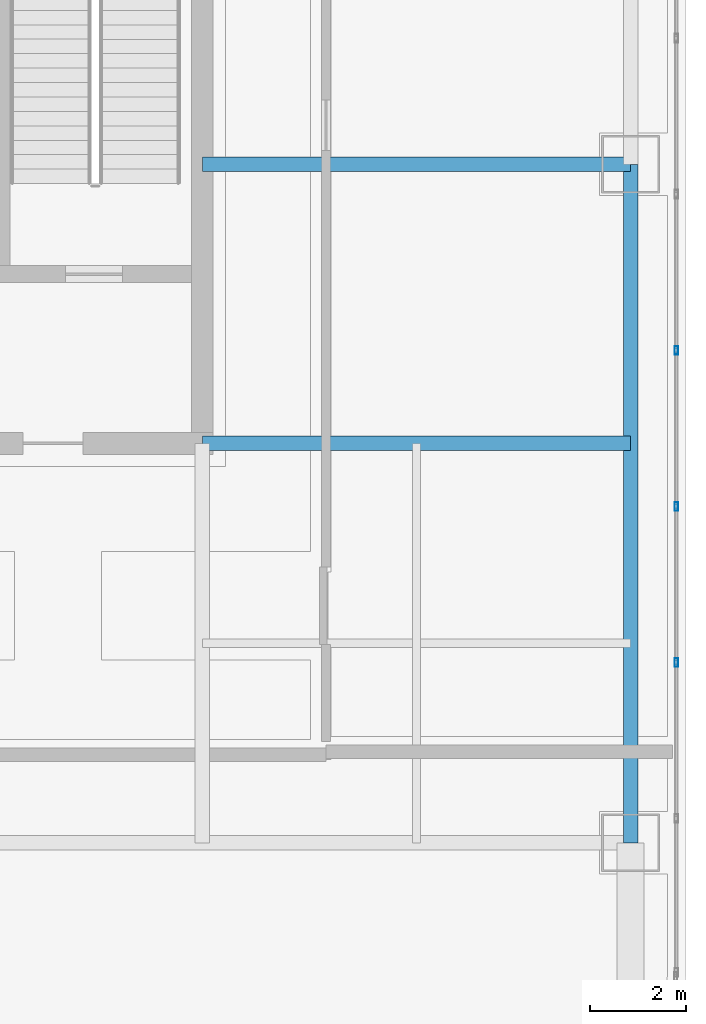
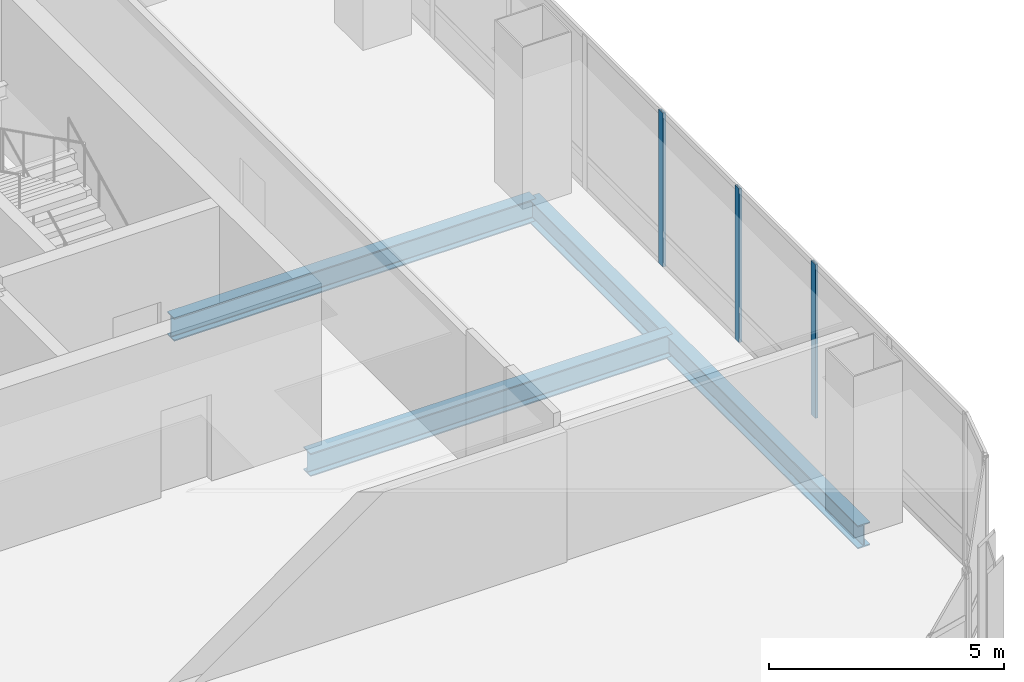
# One storey, part 19 of 42: 3 beams, 3 members, 1 element without a shape of its own.
"""IFC4 building model written with IfcOpenShell, lengths in metres."""

from ifc_helpers import new_model, si_unit, direction, frame, origin, origin_2d, place, context, subcontext, project, spatial, hollow_rectangle, i_section, extrude, material, material_profile, profile_set, type_object, element, aggregate, save


model = new_model("IFC4")

# Units and contexts
model_context = context("Model", 3, precision=1e-05, world=origin(), true_north=direction((0.0, 1.0)))
body_context = subcontext(model_context, "Body", "Model", "MODEL_VIEW")
ifc_project = project(units=[si_unit("LENGTHUNIT", "METRE"), si_unit("AREAUNIT", "SQUARE_METRE"), si_unit("VOLUMEUNIT", "CUBIC_METRE"), si_unit("PLANEANGLEUNIT", "RADIAN"), si_unit("MASSUNIT", "GRAM", prefix="KILO")], contexts=[model_context])

# Site, building, storey
site_placement = place(None, origin())
site = spatial("IfcSite", under=ifc_project, at=site_placement, CompositionType="ELEMENT")
building_placement = place(site_placement, origin())
building = spatial("IfcBuilding", under=site, at=building_placement, Name="Punatoya Terracotta Tower", CompositionType="ELEMENT")
storey_placement = place(building_placement, frame((0.0, 0.0, 325.800048828125)))
storey = spatial("IfcBuildingStorey", under=building, at=storey_placement, Name="L77", CompositionType="ELEMENT", Elevation=325.800048828125)

# Beams
ifc_material_1 = material(Name="Steel S355", Category="steel")
ifc_material_profile_1 = material_profile(ifc_material_1, i_section(OverallWidth=0.300048828125, OverallDepth=0.60009765625, WebThickness=0.015380859375, FlangeThickness=0.030029296875, FilletRadius=0.01806640625, at=origin_2d()))
ifc_profile_set_1 = profile_set([ifc_material_profile_1], Name="Steel S355")
beam_type = type_object("IfcBeamType", Name="BM-PRI-600", PredefinedType="BEAM", material=ifc_profile_set_1)
beam_placement = place(storey_placement, frame((19.10009765625, -17.5, -0.5), z_axis=(0.0, 1.0, 0.0), x_axis=(-1.0, 0.0, 0.0)))
element("IfcBeam", 1, at=beam_placement, inside=storey, type_object=beam_type, Name="BM-L77-RG-E1", PredefinedType="BEAM", context=body_context, shape_type="SweptSolid", body=[
    extrude(i_section(OverallWidth=0.300048828125, OverallDepth=0.60009765625, WebThickness=0.015380859375, FlangeThickness=0.030029296875, FilletRadius=0.01806640625, at=origin_2d()), origin(), (0.0, 0.0, 1.0), 14.10009765625),
])
for number, where, z_axis, x_axis, name in (
    (2, (10.199951171875, -9.199951171875, -0.5), (1.0, 0.0, 0.0), (0.0, 1.0, 0.0), "BM-L77-PR-ES"),
    (3, (10.199951171875, -3.39990234375, -0.5), (1.0, 0.0, 0.0), (0.0, 1.0, 0.0), "BM-L77-PR-ED"),
):
    element("IfcBeam", number, at=place(storey_placement, frame(where, z_axis=z_axis, x_axis=x_axis)), inside=storey, type_object=beam_type, Name=name, PredefinedType="BEAM", context=body_context, shape_type="SweptSolid", body=[
        extrude(i_section(OverallWidth=0.300048828125, OverallDepth=0.60009765625, WebThickness=0.015380859375, FlangeThickness=0.030029296875, FilletRadius=0.01806640625, at=origin_2d()), origin(), (0.0, 0.0, 1.0), 8.900146484375),
    ])

# Curtain wall, members
ifc_material_2 = material(Name="Aluminium 6063-T6 + Double Low-E Glass", Category="aluminium")
curtain_wall_type = type_object("IfcCurtainWallType", Name="CW-OBS", PredefinedType="NOTDEFINED", material=ifc_material_2)
curtain_wall_placement = place(storey_placement, origin())
curtain_wall = element("IfcCurtainWall", 4, at=curtain_wall_placement, inside=storey, type_object=curtain_wall_type, Name="L77 Curtain Wall CW-L77-E05-1", PredefinedType="NOTDEFINED")
ifc_material_3 = material(Name="Aluminium 6063-T6", Category="aluminium")
ifc_material_profile_2 = material_profile(ifc_material_3, hollow_rectangle(XDim=0.070068359375, YDim=0.179931640625, WallThickness=0.00390625, at=origin_2d()))
ifc_profile_set_2 = profile_set([ifc_material_profile_2], Name="Aluminium 6063-T6")
member_type = type_object("IfcMemberType", Name="CW-MUL-M3", PredefinedType="MULLION", material=ifc_profile_set_2)
member_1_placement = place(storey_placement, frame((20.050048828125, -13.750732421875, 0.0), z_axis=(0.0, 0.0, 1.0), x_axis=(1.0, 0.0, 0.0)))
member_1 = element("IfcMember", 5, at=member_1_placement, type_object=member_type, Name="CW-L77-E05-1 Mullion 02", PredefinedType="MULLION", context=body_context, shape_type="SweptSolid", body=[
    extrude(hollow_rectangle(XDim=0.070068359375, YDim=0.179931640625, WallThickness=0.00390625, at=origin_2d()), origin(), (0.0, 0.0, 1.0), 4.0),
])
member_2_placement = place(storey_placement, frame((20.050048828125, -10.5078125, 0.0), z_axis=(0.0, 0.0, 1.0), x_axis=(1.0, 0.0, 0.0)))
member_2 = element("IfcMember", 6, at=member_2_placement, type_object=member_type, Name="CW-L77-E05-1 Mullion 03", PredefinedType="MULLION", context=body_context, shape_type="SweptSolid", body=[
    extrude(hollow_rectangle(XDim=0.070068359375, YDim=0.179931640625, WallThickness=0.00390625, at=origin_2d()), origin(), (0.0, 0.0, 1.0), 4.0),
])
member_3_placement = place(storey_placement, frame((20.050048828125, -7.2646484375, 0.0), z_axis=(0.0, 0.0, 1.0), x_axis=(1.0, 0.0, 0.0)))
member_3 = element("IfcMember", 7, at=member_3_placement, type_object=member_type, Name="CW-L77-E05-1 Mullion 04", PredefinedType="MULLION", context=body_context, shape_type="SweptSolid", body=[
    extrude(hollow_rectangle(XDim=0.070068359375, YDim=0.179931640625, WallThickness=0.00390625, at=origin_2d()), origin(), (0.0, 0.0, 1.0), 4.0),
])
aggregate(curtain_wall, [member_1, member_2, member_3])

save(model, "model.ifc")
